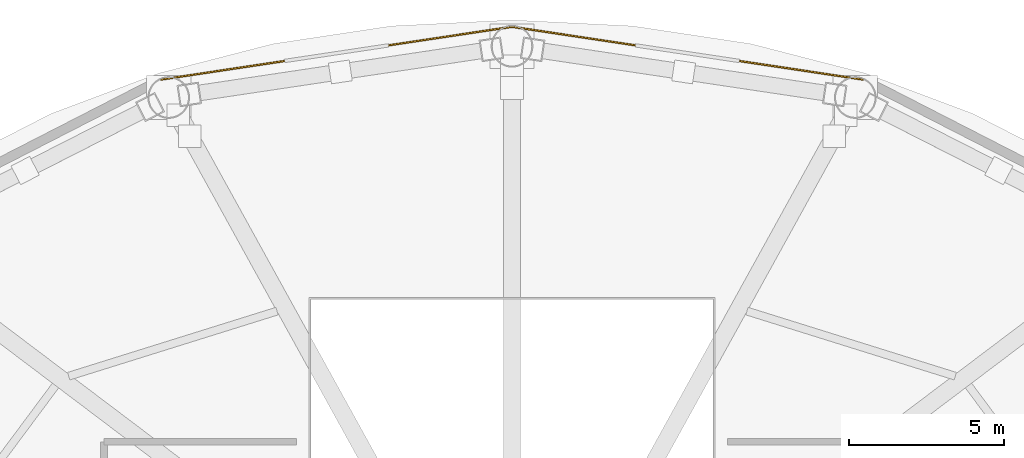
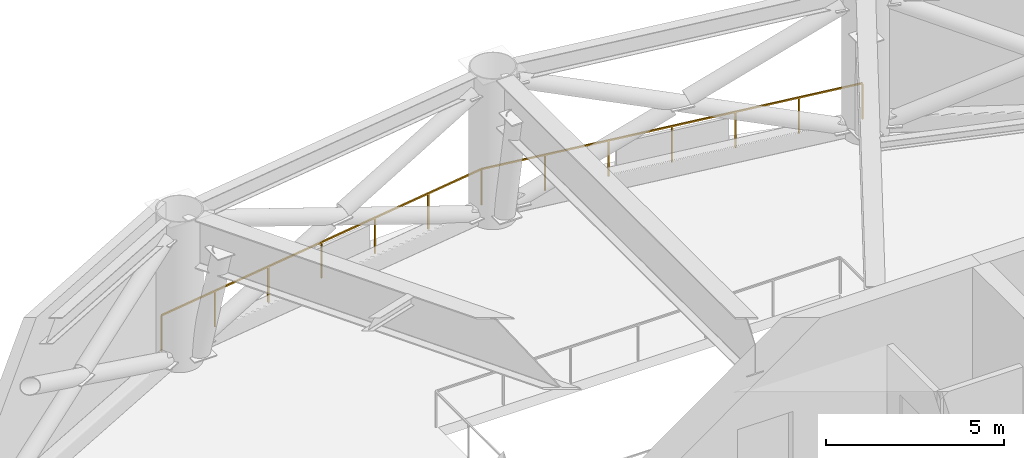
# One storey, part 8 of 8: 2 railings.
"""IFC4 building model written with IfcOpenShell, lengths in metres."""

from ifc_helpers import new_model, si_unit, direction, frame, origin, origin_2d, place, context, subcontext, project, spatial, rectangle, extrude, material, type_object, element, save


model = new_model("IFC4")

# Units and contexts
model_context = context("Model", 3, precision=1e-05, world=origin(), true_north=direction((0.0, 1.0)))
body_context = subcontext(model_context, "Body", "Model", "MODEL_VIEW")
ifc_project = project(units=[si_unit("LENGTHUNIT", "METRE"), si_unit("AREAUNIT", "SQUARE_METRE"), si_unit("VOLUMEUNIT", "CUBIC_METRE"), si_unit("PLANEANGLEUNIT", "RADIAN"), si_unit("MASSUNIT", "GRAM", prefix="KILO")], contexts=[model_context])

# Site, building, storey
site_placement = place(None, origin())
site = spatial("IfcSite", under=ifc_project, at=site_placement, CompositionType="ELEMENT")
building_placement = place(site_placement, origin())
building = spatial("IfcBuilding", under=site, at=building_placement, Name="Sarneth Arch Tower", CompositionType="ELEMENT")
storey_placement = place(building_placement, frame((0.0, 0.0, 145.199951171875)))
storey = spatial("IfcBuildingStorey", under=building, at=storey_placement, Name="L36", CompositionType="ELEMENT", Elevation=145.199951171875)

# Railings
ifc_material = material(Name="Stainless Steel 316 balustrade with vertical posts at 1,800 mm centres", Category="steel")
railing_type = type_object("IfcRailingType", Name="RAIL-TERR-1250", PredefinedType="GUARDRAIL", material=ifc_material)
railing_1_placement = place(storey_placement, frame((59.351318359375, 62.72265625, 0.0)))
element("IfcRailing", 1, at=railing_1_placement, inside=storey, type_object=railing_type, Name="L36 Wind-turbine slot guard 04", PredefinedType="GUARDRAIL", context=body_context, shape_type="SweptSolid", body=[
    extrude(rectangle(XDim=0.048095703125, YDim=0.048095703125, at=origin_2d()), frame((0.0, 0.0, 1.22607421875), z_axis=(-0.988877774656, 0.148730450117, 0.0), x_axis=(-0.148730450117, -0.988877774656, 0.0)), (0.0, 0.0, 1.0), 11.47900390625),
    extrude(rectangle(XDim=0.0419921875, YDim=0.0419921875, at=origin_2d()), origin(), (0.0, 0.0, 1.0), 1.201904296875),
    extrude(rectangle(XDim=0.0419921875, YDim=0.0419921875, at=origin_2d()), frame((-1.891845703125, 0.28466796875, 0.0)), (0.0, 0.0, 1.0), 1.201904296875),
    extrude(rectangle(XDim=0.0419921875, YDim=0.0419921875, at=origin_2d()), frame((-3.78369140625, 0.569091796875, 0.0)), (0.0, 0.0, 1.0), 1.201904296875),
    extrude(rectangle(XDim=0.0419921875, YDim=0.0419921875, at=origin_2d()), frame((-5.67578125, 0.853515625, 0.0)), (0.0, 0.0, 1.0), 1.201904296875),
    extrude(rectangle(XDim=0.0419921875, YDim=0.0419921875, at=origin_2d()), frame((-7.567626953125, 1.13818359375, 0.0)), (0.0, 0.0, 1.0), 1.201904296875),
    extrude(rectangle(XDim=0.0419921875, YDim=0.0419921875, at=origin_2d()), frame((-9.45947265625, 1.4228515625, 0.0)), (0.0, 0.0, 1.0), 1.201904296875),
    extrude(rectangle(XDim=0.0419921875, YDim=0.0419921875, at=origin_2d()), frame((-11.351318359375, 1.707275390625, 0.0)), (0.0, 0.0, 1.0), 1.201904296875),
])
railing_2_placement = place(storey_placement, frame((48.0, 64.429931640625, 0.0)))
element("IfcRailing", 2, at=railing_2_placement, inside=storey, type_object=railing_type, Name="L36 Wind-turbine slot guard 05", PredefinedType="GUARDRAIL", context=body_context, shape_type="SweptSolid", body=[
    extrude(rectangle(XDim=0.048095703125, YDim=0.048095703125, at=origin_2d()), frame((0.0, 0.0, 1.22607421875), z_axis=(-0.988877774656, -0.148730450117, 0.0), x_axis=(0.148730450117, -0.988877774656, 0.0)), (0.0, 0.0, 1.0), 11.47900390625),
    extrude(rectangle(XDim=0.0419921875, YDim=0.0419921875, at=origin_2d()), origin(), (0.0, 0.0, 1.0), 1.201904296875),
    extrude(rectangle(XDim=0.0419921875, YDim=0.0419921875, at=origin_2d()), frame((-1.891845703125, -0.28466796875, 0.0)), (0.0, 0.0, 1.0), 1.201904296875),
    extrude(rectangle(XDim=0.0419921875, YDim=0.0419921875, at=origin_2d()), frame((-3.78369140625, -0.569091796875, 0.0)), (0.0, 0.0, 1.0), 1.201904296875),
    extrude(rectangle(XDim=0.0419921875, YDim=0.0419921875, at=origin_2d()), frame((-5.67578125, -0.853515625, 0.0)), (0.0, 0.0, 1.0), 1.201904296875),
    extrude(rectangle(XDim=0.0419921875, YDim=0.0419921875, at=origin_2d()), frame((-7.567626953125, -1.13818359375, 0.0)), (0.0, 0.0, 1.0), 1.201904296875),
    extrude(rectangle(XDim=0.0419921875, YDim=0.0419921875, at=origin_2d()), frame((-9.45947265625, -1.4228515625, 0.0)), (0.0, 0.0, 1.0), 1.201904296875),
    extrude(rectangle(XDim=0.0419921875, YDim=0.0419921875, at=origin_2d()), frame((-11.351318359375, -1.707275390625, 0.0)), (0.0, 0.0, 1.0), 1.201904296875),
])

save(model, "model.ifc")
